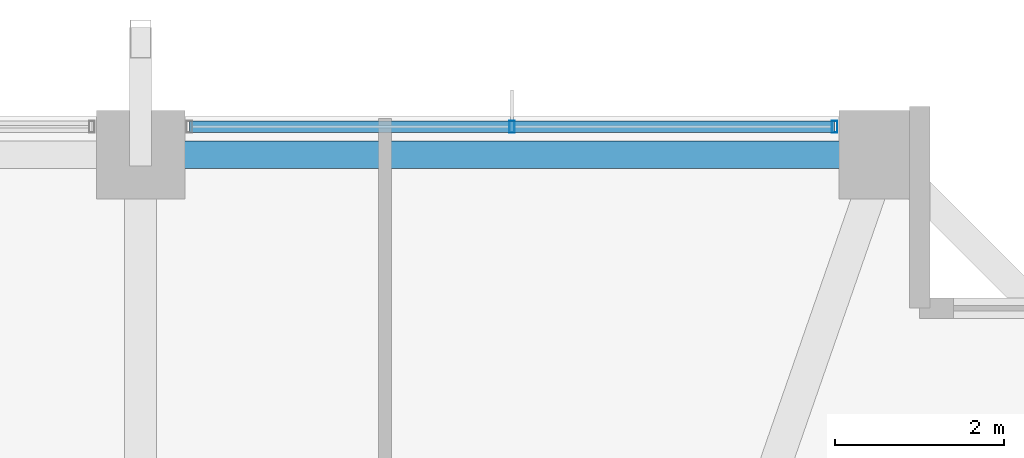
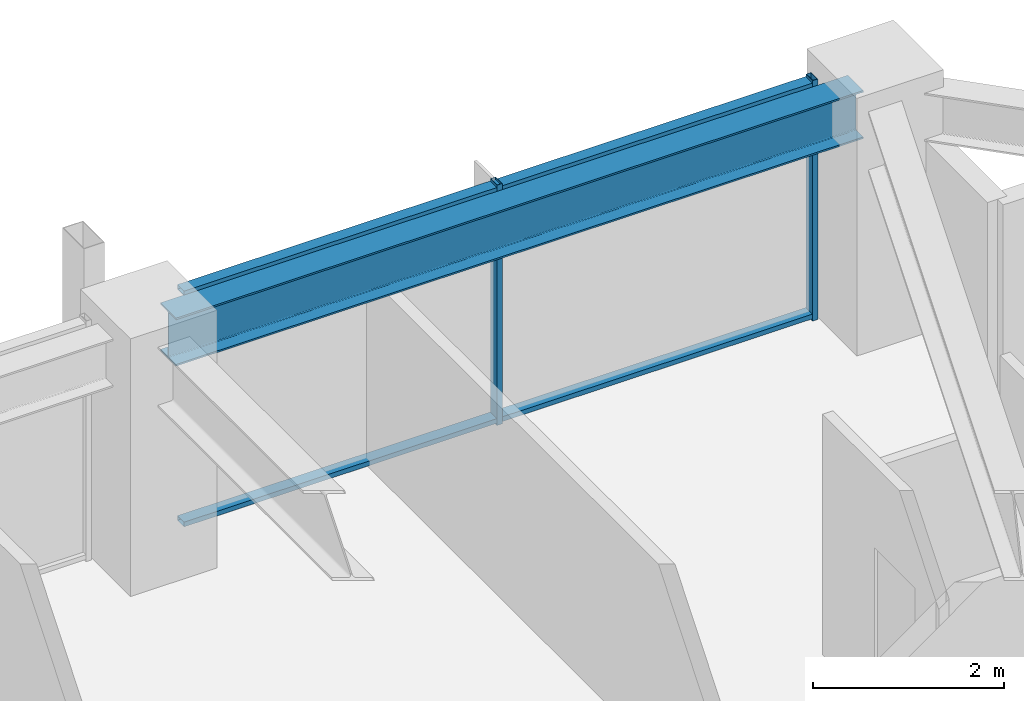
# One storey, part 24 of 37: 4 members, 1 beam, 1 element without a shape of its own.
"""IFC4 building model written with IfcOpenShell, lengths in metres."""

from ifc_helpers import new_model, si_unit, direction, frame, origin, origin_2d, place, context, subcontext, project, spatial, hollow_rectangle, i_section, extrude, material, material_profile, profile_set, type_object, element, aggregate, save


model = new_model("IFC4")

# Units and contexts
model_context = context("Model", 3, precision=1e-05, world=origin(), true_north=direction((0.0, 1.0)))
body_context = subcontext(model_context, "Body", "Model", "MODEL_VIEW")
ifc_project = project(units=[si_unit("LENGTHUNIT", "METRE"), si_unit("AREAUNIT", "SQUARE_METRE"), si_unit("VOLUMEUNIT", "CUBIC_METRE"), si_unit("PLANEANGLEUNIT", "RADIAN"), si_unit("MASSUNIT", "GRAM", prefix="KILO")], contexts=[model_context])

# Site, building, storey
site_placement = place(None, origin())
site = spatial("IfcSite", under=ifc_project, at=site_placement, CompositionType="ELEMENT")
building_placement = place(site_placement, origin())
building = spatial("IfcBuilding", under=site, at=building_placement, Name="Kolvaren Belvedere", CompositionType="ELEMENT")
storey_placement = place(building_placement, frame((0.0, 0.0, 82.10009765625)))
storey = spatial("IfcBuildingStorey", under=building, at=storey_placement, Name="L23", CompositionType="ELEMENT", Elevation=82.10009765625)

# Beam
ifc_material_1 = material(Name="Structural steel ASTM A992 Grade 50", Category="steel")
ifc_material_profile_1 = material_profile(ifc_material_1, i_section(OverallWidth=0.324951171875, OverallDepth=0.615966796875, WebThickness=0.013916015625, FlangeThickness=0.021484375, FilletRadius=0.02001953125, at=origin_2d()), Name="W24X117")
ifc_profile_set_1 = profile_set([ifc_material_profile_1], Name="Structural steel ASTM A992 Grade 50")
beam_type = type_object("IfcBeamType", Name="BM-SPAN-W24X117", PredefinedType="SPANDREL", material=ifc_profile_set_1)
beam_placement = place(storey_placement, frame((13.163818359375, 19.949951171875, 2.77197265625), z_axis=(-1.0, 0.0, 0.0), x_axis=(0.0, -1.0, 0.0)))
element("IfcBeam", 1, at=beam_placement, inside=storey, type_object=beam_type, Name="L23 Perimeter Spandrel N4-N3", PredefinedType="SPANDREL", context=body_context, shape_type="SweptSolid", body=[
    extrude(i_section(OverallWidth=0.324951171875, OverallDepth=0.615966796875, WebThickness=0.013916015625, FlangeThickness=0.021484375, FilletRadius=0.02001953125, at=origin_2d()), origin(), (0.0, 0.0, 1.0), 8.32763671875),
])

# Curtain wall, members
ifc_material_2 = material(Name="Anodised pale-metal aluminium AA 6063-T6", Category="aluminium")
curtain_wall_type = type_object("IfcCurtainWallType", Name="CW-Z2-MID", PredefinedType="NOTDEFINED", material=ifc_material_2)
curtain_wall_placement = place(storey_placement, origin())
curtain_wall = element("IfcCurtainWall", 2, at=curtain_wall_placement, inside=storey, type_object=curtain_wall_type, Name="L23 Unitised Curtain Wall FCW-L23-N-B3", PredefinedType="NOTDEFINED")
ifc_material_3 = material(Name="Anodised pale-metal aluminium AA 6063-T6", Category="aluminium")
ifc_material_profile_2 = material_profile(ifc_material_3, hollow_rectangle(XDim=0.06494140625, YDim=0.139892578125, WallThickness=0.00390625, at=origin_2d()), Name="ALU-MUL-140X65")
ifc_profile_set_2 = profile_set([ifc_material_profile_2], Name="Anodised pale-metal aluminium AA 6063-T6")
member_type_1 = type_object("IfcMemberType", Name="CW-MUL-140", PredefinedType="MULLION", material=ifc_profile_set_2)
member_1_placement = place(storey_placement, frame((9.0, 20.280029296875, 0.0), z_axis=(0.0, 0.0, 1.0), x_axis=(1.0, 0.0, 0.0)))
member_1 = element("IfcMember", 3, at=member_1_placement, type_object=member_type_1, Name="FCW-L23-N-B3 Unitised Mullion 2", PredefinedType="MULLION", context=body_context, shape_type="SweptSolid", body=[
    extrude(hollow_rectangle(XDim=0.06494140625, YDim=0.139892578125, WallThickness=0.00390625, at=origin_2d()), origin(), (0.0, 0.0, 1.0), 3.079833984375),
])
member_2_placement = place(storey_placement, frame((12.822509765625, 20.280029296875, 0.0), z_axis=(0.0, 0.0, 1.0), x_axis=(1.0, 0.0, 0.0)))
member_2 = element("IfcMember", 4, at=member_2_placement, type_object=member_type_1, Name="FCW-L23-N-B3 Unitised Mullion 3", PredefinedType="MULLION", context=body_context, shape_type="SweptSolid", body=[
    extrude(hollow_rectangle(XDim=0.06494140625, YDim=0.139892578125, WallThickness=0.00390625, at=origin_2d()), origin(), (0.0, 0.0, 1.0), 3.079833984375),
])
ifc_material_4 = material(Name="Anodised pale-metal aluminium AA 6063-T6", Category="aluminium")
ifc_material_profile_3 = material_profile(ifc_material_4, hollow_rectangle(XDim=0.06005859375, YDim=0.139892578125, WallThickness=0.00390625, at=origin_2d()), Name="ALU-TRN-140X60")
ifc_profile_set_3 = profile_set([ifc_material_profile_3], Name="Anodised pale-metal aluminium AA 6063-T6")
member_type_2 = type_object("IfcMemberType", Name="CW-TRN-140", PredefinedType="USERDEFINED", material=ifc_profile_set_3)
member_3_placement = place(storey_placement, frame((5.177490234375, 20.280029296875, 0.059814453125), z_axis=(1.0, 0.0, 0.0), x_axis=(0.0, 0.0, 1.0)))
member_3 = element("IfcMember", 5, at=member_3_placement, type_object=member_type_2, Name="FCW-L23-N-B3 Sill Transom", ObjectType="TRANSOM", PredefinedType="USERDEFINED", context=body_context, shape_type="SweptSolid", body=[
    extrude(hollow_rectangle(XDim=0.06005859375, YDim=0.139892578125, WallThickness=0.00390625, at=origin_2d()), origin(), (0.0, 0.0, 1.0), 7.64501953125),
])
member_4_placement = place(storey_placement, frame((5.177490234375, 20.280029296875, 3.02001953125), z_axis=(1.0, 0.0, 0.0), x_axis=(0.0, 0.0, 1.0)))
member_4 = element("IfcMember", 6, at=member_4_placement, type_object=member_type_2, Name="FCW-L23-N-B3 Head Transom", ObjectType="TRANSOM", PredefinedType="USERDEFINED", context=body_context, shape_type="SweptSolid", body=[
    extrude(hollow_rectangle(XDim=0.06005859375, YDim=0.139892578125, WallThickness=0.00390625, at=origin_2d()), origin(), (0.0, 0.0, 1.0), 7.64501953125),
])
aggregate(curtain_wall, [member_1, member_2, member_3, member_4])

save(model, "model.ifc")
